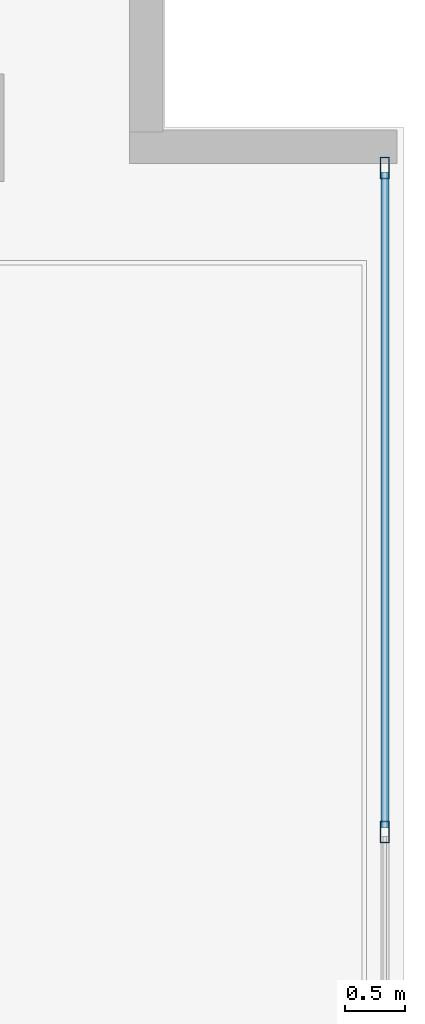
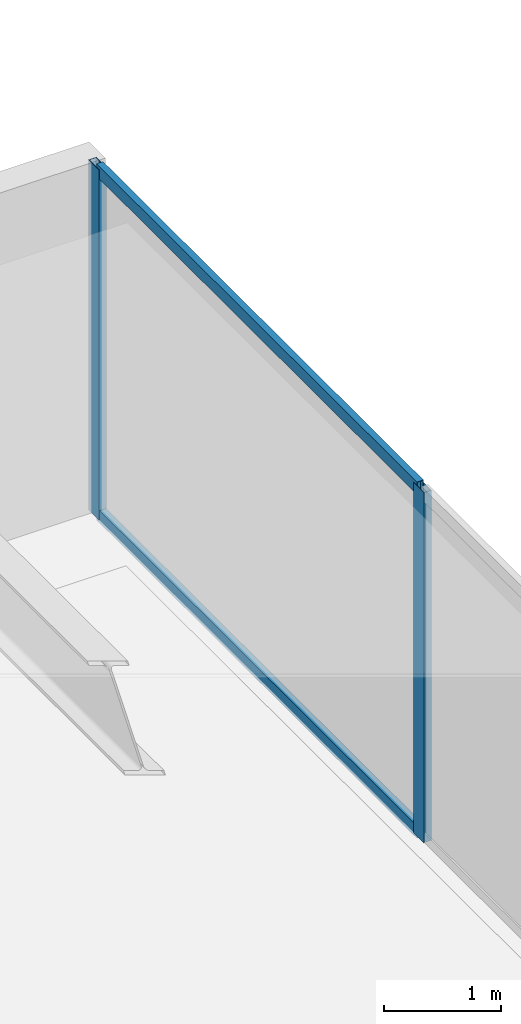
# One storey, part 17 of 31: 4 members, 1 element without a shape of its own.
"""IFC4 building model written with IfcOpenShell, lengths in metres."""

from ifc_helpers import new_model, si_unit, direction, frame, origin, origin_with_axes, origin_2d, place, context, subcontext, project, spatial, hollow_rectangle, extrude, source, transform, mapped, material, layer, layer_set, material_profile, profile_set, type_object, element, aggregate, save


model = new_model("IFC4")

# Units and contexts
model_context = context("Model", 3, precision=1e-05, world=origin(), true_north=direction((0.0, 1.0)))
body_context = subcontext(model_context, "Body", "Model", "MODEL_VIEW")
ifc_project = project(units=[si_unit("LENGTHUNIT", "METRE"), si_unit("AREAUNIT", "SQUARE_METRE"), si_unit("VOLUMEUNIT", "CUBIC_METRE"), si_unit("PLANEANGLEUNIT", "RADIAN"), si_unit("MASSUNIT", "GRAM", prefix="KILO")], contexts=[model_context])

# Site, building, storey
site_placement = place(None, origin())
site = spatial("IfcSite", under=ifc_project, at=site_placement, CompositionType="ELEMENT")
building_placement = place(site_placement, origin())
building = spatial("IfcBuilding", under=site, at=building_placement, Name="Kolvaren Waterfront Exchange", CompositionType="ELEMENT")
storey_placement = place(building_placement, frame((0.0, 0.0, 344.199951171875)))
storey = spatial("IfcBuildingStorey", under=building, at=storey_placement, Name="L88", CompositionType="ELEMENT", Elevation=344.199951171875)

# Curtain wall, members
ifc_material = material(Name="Anodised bronze aluminium 6063-T6", Category="aluminium")
ifc_layer = layer(ifc_material, 0.219970703125, Name="Anodised bronze aluminium 6063-T6")
ifc_layer_set = layer_set([ifc_layer], Name="Anodised bronze aluminium 6063-T6")
curtain_wall_type = type_object("IfcCurtainWallType", Name="ARC-CW-SYS5", PredefinedType="USERDEFINED", material=ifc_layer_set)
curtain_wall_placement = place(storey_placement, origin())
curtain_wall = element("IfcCurtainWall", 1, at=curtain_wall_placement, inside=storey, type_object=curtain_wall_type, Name="L88 stick curtain wall CW5 (CW-L88-ET)", ObjectType="STICK CURTAIN WALL", PredefinedType="USERDEFINED")
ifc_material_profile_1 = material_profile(ifc_material, hollow_rectangle(XDim=0.074951171875, YDim=0.179931640625, WallThickness=0.00439453125, at=origin_2d()), Name="ALU-MUL-180x75x4.5")
ifc_profile_set_1 = profile_set([ifc_material_profile_1], Name="Anodised bronze aluminium 6063-T6")
member_type_1 = type_object("IfcMemberType", Name="ARC-CWM-180", PredefinedType="MULLION", material=ifc_profile_set_1)
shared_shape_1 = source(origin_with_axes(), body_context, "Body", "SweptSolid", [
    extrude(hollow_rectangle(XDim=0.074951171875, YDim=0.179931640625, WallThickness=0.00439453125, at=origin_2d()), origin(), (0.0, 0.0, 1.0), 3.66015625),
])
member_1_placement = place(storey_placement, frame((49.239990234375, 11.5, 0.0), z_axis=(0.0, 0.0, 1.0), x_axis=(-1.0, 0.0, 0.0)))
member_1 = element("IfcMember", 2, at=member_1_placement, type_object=member_type_1, Name="CW5 mullion 2", PredefinedType="MULLION", context=body_context, shape_type="MappedRepresentation", body=[
    mapped(shared_shape_1, transform((0.0, 0.0, 0.0), x_axis=(1.0, 0.0, 0.0), y_axis=(0.0, 1.0, 0.0), z_axis=(0.0, 0.0, 1.0), scale=1.0)),
])
member_2_placement = place(storey_placement, frame((49.239990234375, 17.0625, 0.0), z_axis=(0.0, 0.0, 1.0), x_axis=(-1.0, 0.0, 0.0)))
member_2 = element("IfcMember", 3, at=member_2_placement, type_object=member_type_1, Name="CW5 mullion 3", PredefinedType="MULLION", context=body_context, shape_type="MappedRepresentation", body=[
    mapped(shared_shape_1, transform((0.0, 0.0, 0.0), x_axis=(1.0, 0.0, 0.0), y_axis=(0.0, 1.0, 0.0), z_axis=(0.0, 0.0, 1.0), scale=1.0)),
])
ifc_material_profile_2 = material_profile(ifc_material, hollow_rectangle(XDim=0.06494140625, YDim=0.1298828125, WallThickness=0.00390625, at=origin_2d()), Name="ALU-TRN-130x65x4")
ifc_profile_set_2 = profile_set([ifc_material_profile_2], Name="Anodised bronze aluminium 6063-T6")
member_type_2 = type_object("IfcMemberType", Name="ARC-CWT-130", PredefinedType="USERDEFINED", material=ifc_profile_set_2)
shared_shape_2 = source(origin_with_axes(), body_context, "Body", "SweptSolid", [
    extrude(hollow_rectangle(XDim=0.06494140625, YDim=0.1298828125, WallThickness=0.00390625, at=origin_2d()), origin(), (0.0, 0.0, 1.0), 5.4873046875),
])
member_3_placement = place(storey_placement, frame((49.239990234375, 11.53759765625, 0.032470703125), z_axis=(0.0, 1.0, 0.0), x_axis=(-1.0, 0.0, 0.0)))
member_3 = element("IfcMember", 4, at=member_3_placement, type_object=member_type_2, Name="CW5 transom 2.1", ObjectType="TRANSOM", PredefinedType="USERDEFINED", context=body_context, shape_type="MappedRepresentation", body=[
    mapped(shared_shape_2, transform((0.0, 0.0, 0.0), x_axis=(1.0, 0.0, 0.0), y_axis=(0.0, 1.0, 0.0), z_axis=(0.0, 0.0, 1.0), scale=1.0)),
])
member_4_placement = place(storey_placement, frame((49.239990234375, 11.53759765625, 3.62744140625), z_axis=(0.0, 1.0, 0.0), x_axis=(-1.0, 0.0, 0.0)))
member_4 = element("IfcMember", 5, at=member_4_placement, type_object=member_type_2, Name="CW5 transom 2.2", ObjectType="TRANSOM", PredefinedType="USERDEFINED", context=body_context, shape_type="MappedRepresentation", body=[
    mapped(shared_shape_2, transform((0.0, 0.0, 0.0), x_axis=(1.0, 0.0, 0.0), y_axis=(0.0, 1.0, 0.0), z_axis=(0.0, 0.0, 1.0), scale=1.0)),
])
aggregate(curtain_wall, [member_1, member_2, member_3, member_4])

save(model, "model.ifc")
